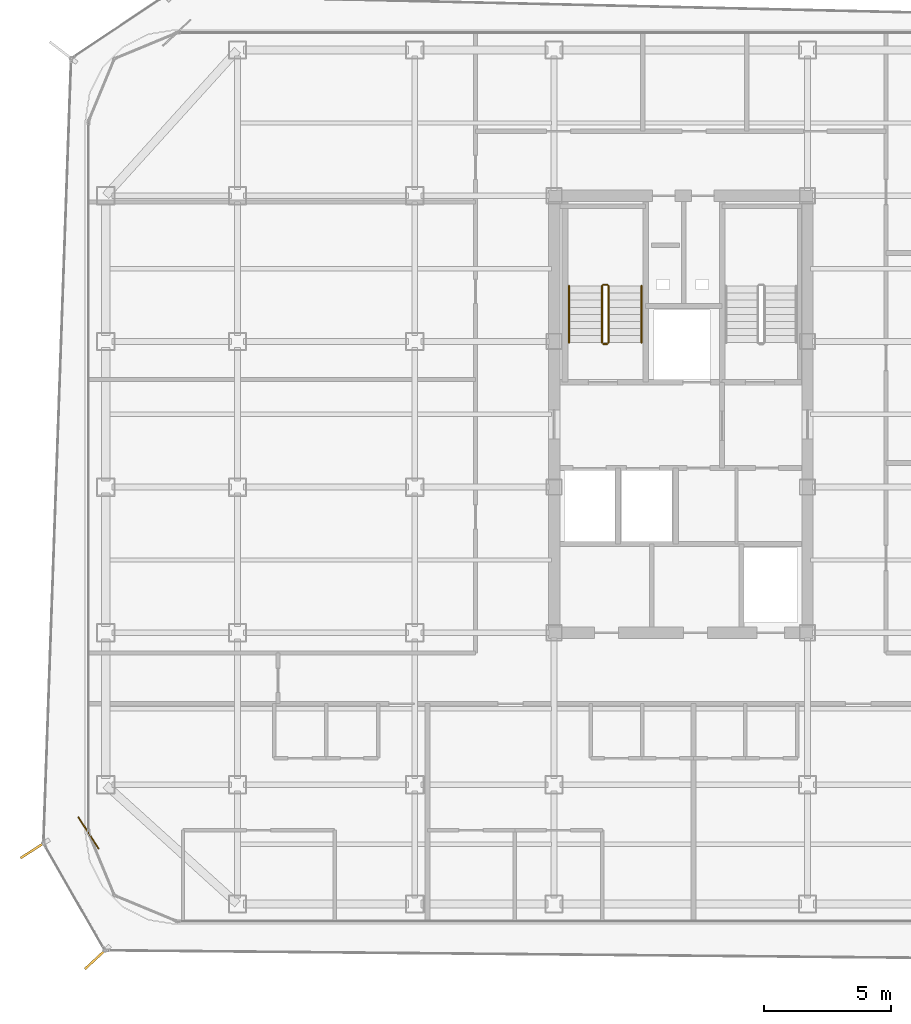
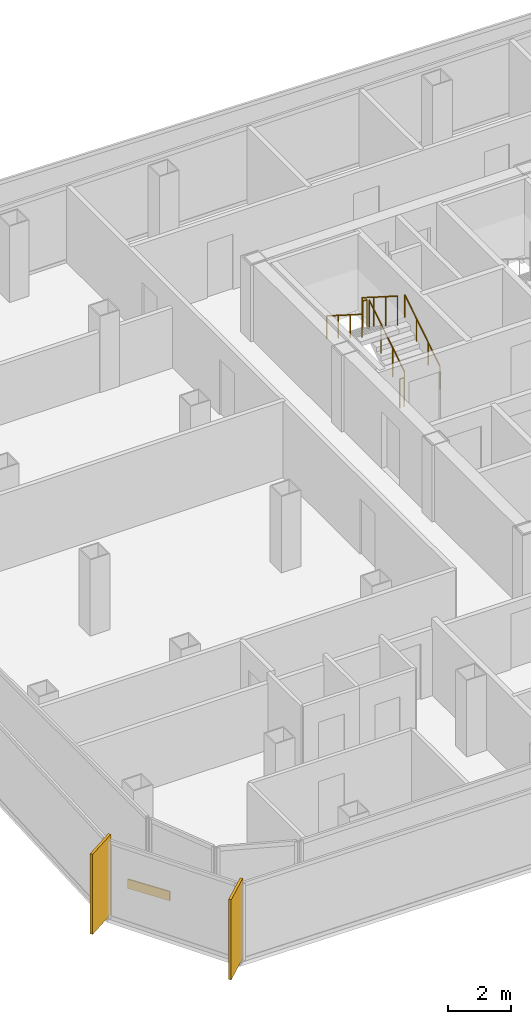
# One storey, part 14 of 16: 6 railings, 2 shading devices, 1 covering.
"""IFC4 building model written with IfcOpenShell, lengths in metres."""

from ifc_helpers import new_model, si_unit, direction, frame, origin, origin_2d, place, context, subcontext, project, spatial, rectangle, circle, extrude, source, transform, mapped, material, layer, layer_set, type_object, element, save


model = new_model("IFC4")

# Units and contexts
model_context = context("Model", 3, precision=1e-05, world=origin(), true_north=direction((0.0, 1.0)))
body_context = subcontext(model_context, "Body", "Model", "MODEL_VIEW")
ifc_project = project(units=[si_unit("LENGTHUNIT", "METRE"), si_unit("AREAUNIT", "SQUARE_METRE"), si_unit("VOLUMEUNIT", "CUBIC_METRE"), si_unit("PLANEANGLEUNIT", "RADIAN"), si_unit("MASSUNIT", "GRAM", prefix="KILO")], contexts=[model_context])

# Site, building, storey
site_placement = place(None, origin())
site = spatial("IfcSite", under=ifc_project, at=site_placement, CompositionType="ELEMENT")
building_placement = place(site_placement, origin())
building = spatial("IfcBuilding", under=site, at=building_placement, Name="Kolveth Station Tower", CompositionType="ELEMENT")
storey_placement = place(building_placement, frame((0.0, 0.0, 178.5)))
storey = spatial("IfcBuildingStorey", under=building, at=storey_placement, Name="L50", CompositionType="ELEMENT", Elevation=178.5)

# Railings
ifc_material_1 = material(Name="Painted Steel S355 balustrade", Category="steel")
railing_type_1 = type_object("IfcRailingType", Name="Guard_GR2", PredefinedType="BALUSTRADE", material=ifc_material_1)
railing_1_placement = place(storey_placement, frame((20.64990234375, 22.949951171875, 0.177734375)))
element("IfcRailing", 1, at=railing_1_placement, inside=storey, type_object=railing_type_1, Name="L50 ST1 stair guard 1", PredefinedType="BALUSTRADE", context=body_context, shape_type="SweptSolid", body=[
    extrude(circle(Radius=0.02392578125, at=origin_2d()), frame((0.0, 0.0, 1.1259765625), z_axis=(0.0, 0.84418770128, 0.536047689118), x_axis=(-1.0, 0.0, 0.0)), (0.0, 0.0, 1.0), 2.6533203125),
    extrude(circle(Radius=0.02099609375, at=origin_2d()), origin(), (0.0, 0.0, 1.0), 1.101806640625),
    extrude(circle(Radius=0.02099609375, at=origin_2d()), frame((0.0, 0.74658203125, 0.47412109375)), (0.0, 0.0, 1.0), 1.101806640625),
    extrude(circle(Radius=0.02099609375, at=origin_2d()), frame((0.0, 1.493408203125, 0.9482421875)), (0.0, 0.0, 1.0), 1.101806640625),
    extrude(circle(Radius=0.02099609375, at=origin_2d()), frame((0.0, 2.239990234375, 1.42236328125)), (0.0, 0.0, 1.0), 1.101806640625),
])
railing_2_placement = place(storey_placement, frame((20.60009765625, 25.239990234375, 1.60009765625)))
element("IfcRailing", 2, at=railing_2_placement, inside=storey, type_object=railing_type_1, Name="L50 ST1 stair guard 2", PredefinedType="BALUSTRADE", context=body_context, shape_type="SweptSolid", body=[
    extrude(circle(Radius=0.02392578125, at=origin_2d()), frame((0.0, 0.0, 1.1259765625), z_axis=(-1.0, 0.0, 0.0), x_axis=(0.0, -1.0, 0.0)), (0.0, 0.0, 1.0), 0.16015625),
    extrude(circle(Radius=0.02099609375, at=origin_2d()), origin(), (0.0, 0.0, 1.0), 1.101806640625),
    extrude(circle(Radius=0.02099609375, at=origin_2d()), frame((-0.16015625, 0.0, 0.0)), (0.0, 0.0, 1.0), 1.101806640625),
])
railing_3_placement = place(storey_placement, frame((20.389892578125, 25.18994140625, 1.77783203125)))
element("IfcRailing", 3, at=railing_3_placement, inside=storey, type_object=railing_type_1, Name="L50 ST1 stair guard 3", PredefinedType="BALUSTRADE", context=body_context, shape_type="SweptSolid", body=[
    extrude(circle(Radius=0.02392578125, at=origin_2d()), frame((0.0, 0.0, 1.1259765625), z_axis=(0.0, -0.8442293374, 0.53598211339), x_axis=(1.0, 0.0, 0.0)), (0.0, 0.0, 1.0), 2.6533203125),
    extrude(circle(Radius=0.02099609375, at=origin_2d()), origin(), (0.0, 0.0, 1.0), 1.101806640625),
    extrude(circle(Radius=0.02099609375, at=origin_2d()), frame((0.0, -0.74658203125, 0.47412109375)), (0.0, 0.0, 1.0), 1.101806640625),
    extrude(circle(Radius=0.02099609375, at=origin_2d()), frame((0.0, -1.493408203125, 0.947998046875)), (0.0, 0.0, 1.0), 1.101806640625),
    extrude(circle(Radius=0.02099609375, at=origin_2d()), frame((0.0, -2.239990234375, 1.422119140625)), (0.0, 0.0, 1.0), 1.101806640625),
])
railing_4_placement = place(storey_placement, frame((20.60009765625, 22.89990234375, 0.0)))
element("IfcRailing", 4, at=railing_4_placement, inside=storey, type_object=railing_type_1, Name="L50 ST1 stair guard 4", PredefinedType="BALUSTRADE", context=body_context, shape_type="SweptSolid", body=[
    extrude(circle(Radius=0.02392578125, at=origin_2d()), frame((0.0, 0.0, 1.1259765625), z_axis=(-1.0, 0.0, 0.0), x_axis=(0.0, -1.0, 0.0)), (0.0, 0.0, 1.0), 0.16015625),
    extrude(circle(Radius=0.02099609375, at=origin_2d()), origin(), (0.0, 0.0, 1.0), 1.101806640625),
    extrude(circle(Radius=0.02099609375, at=origin_2d()), frame((-0.16015625, 0.0, 0.0)), (0.0, 0.0, 1.0), 1.101806640625),
])
ifc_material_2 = material(Name="Brushed stainless steel", Category="steel")
railing_type_2 = type_object("IfcRailingType", Name="Handrail_HR1", PredefinedType="HANDRAIL", material=ifc_material_2)
railing_5_placement = place(storey_placement, frame((21.949951171875, 22.949951171875, 0.177734375)))
element("IfcRailing", 5, at=railing_5_placement, inside=storey, type_object=railing_type_2, Name="L50 ST1 stair handrail 1", PredefinedType="HANDRAIL", context=body_context, shape_type="SweptSolid", body=[
    extrude(circle(Radius=0.02392578125, at=origin_2d()), frame((0.0, 0.0, 0.8759765625), z_axis=(0.0, 0.84418770128, 0.536047689118), x_axis=(-1.0, 0.0, 0.0)), (0.0, 0.0, 1.0), 2.6533203125),
    extrude(circle(Radius=0.02099609375, at=origin_2d()), origin(), (0.0, 0.0, 1.0), 0.851806640625),
    extrude(circle(Radius=0.02099609375, at=origin_2d()), frame((0.0, 0.74658203125, 0.47412109375)), (0.0, 0.0, 1.0), 0.851806640625),
    extrude(circle(Radius=0.02099609375, at=origin_2d()), frame((0.0, 1.493408203125, 0.9482421875)), (0.0, 0.0, 1.0), 0.851806640625),
    extrude(circle(Radius=0.02099609375, at=origin_2d()), frame((0.0, 2.239990234375, 1.42236328125)), (0.0, 0.0, 1.0), 0.851806640625),
])
railing_6_placement = place(storey_placement, frame((19.090087890625, 25.18994140625, 1.77783203125)))
element("IfcRailing", 6, at=railing_6_placement, inside=storey, type_object=railing_type_2, Name="L50 ST1 stair handrail 2", PredefinedType="HANDRAIL", context=body_context, shape_type="SweptSolid", body=[
    extrude(circle(Radius=0.02392578125, at=origin_2d()), frame((0.0, 0.0, 0.8759765625), z_axis=(0.0, -0.8442293374, 0.53598211339), x_axis=(1.0, 0.0, 0.0)), (0.0, 0.0, 1.0), 2.6533203125),
    extrude(circle(Radius=0.02099609375, at=origin_2d()), origin(), (0.0, 0.0, 1.0), 0.851806640625),
    extrude(circle(Radius=0.02099609375, at=origin_2d()), frame((0.0, -0.74658203125, 0.47412109375)), (0.0, 0.0, 1.0), 0.851806640625),
    extrude(circle(Radius=0.02099609375, at=origin_2d()), frame((0.0, -1.493408203125, 0.947998046875)), (0.0, 0.0, 1.0), 0.851806640625),
    extrude(circle(Radius=0.02099609375, at=origin_2d()), frame((0.0, -2.239990234375, 1.422119140625)), (0.0, 0.0, 1.0), 0.851806640625),
])

# Shading devices
ifc_material_3 = material(Name="Black anodized aluminium 6063-T6", Category="aluminium")
shading_device_type = type_object("IfcShadingDeviceType", Name="FIN_VF1", PredefinedType="USERDEFINED", material=ifc_material_3)
shared_shape_1 = source(origin(), body_context, "Body", "SweptSolid", [
    extrude(rectangle(XDim=1.25, YDim=0.090087890625, at=origin_2d()), origin(), (0.0, 0.0, 1.0), 3.10009765625),
])
for number, where, z_axis, x_axis, name in (
    (7, (-2.032958984375, 2.946044921875, 0.0), (0.0, 0.0, 1.0), (-0.84179353575, -0.539799632428, 0.0), "L50 Dark-Aluminium Solar Fin 7"),
    (8, (0.43896484375, -1.344970703125, 0.0), (0.0, 0.0, 1.0), (-0.732899222969, -0.6803372171, 0.0), "L50 Dark-Aluminium Solar Fin 8"),
):
    element("IfcShadingDevice", number, at=place(storey_placement, frame(where, z_axis=z_axis, x_axis=x_axis)), inside=storey, type_object=shading_device_type, Name=name, ObjectType="FIN", PredefinedType="USERDEFINED", context=body_context, shape_type="MappedRepresentation", body=[
        mapped(shared_shape_1, transform((0.0, 0.0, 0.0), x_axis=(1.0, 0.0, 0.0), y_axis=(0.0, 1.0, 0.0), z_axis=(0.0, 0.0, 1.0), scale=1.0)),
    ])

# Covering
ifc_material_4 = material(Name="Charcoal anodized aluminium spandrel cladding", Category="aluminium")
ifc_layer = layer(ifc_material_4, 0.044921875)
ifc_layer_set = layer_set([ifc_layer], Name="Charcoal anodized aluminium spandrel cladding")
covering_type = type_object("IfcCoveringType", Name="Clad_CD1", PredefinedType="CLADDING", material=ifc_layer_set)
shared_shape_2 = source(origin(), body_context, "Body", "SweptSolid", [
    extrude(rectangle(XDim=1.5, YDim=0.044921875, at=origin_2d()), origin(), (0.0, 0.0, 1.0), 0.360107421875),
])
covering_placement = place(storey_placement, frame((0.1201171875, 3.60009765625, 0.0), z_axis=(0.0, 0.0, 1.0), x_axis=(0.539799632428, -0.84179353575, 0.0)))
element("IfcCovering", 9, at=covering_placement, inside=storey, type_object=covering_type, Name="L50 Spandrel Edge Cladding 7", PredefinedType="CLADDING", context=body_context, shape_type="MappedRepresentation", body=[
    mapped(shared_shape_2, transform((0.0, 0.0, 0.0), x_axis=(1.0, 0.0, 0.0), y_axis=(0.0, 1.0, 0.0), z_axis=(0.0, 0.0, 1.0), scale=1.0)),
])

save(model, "model.ifc")
